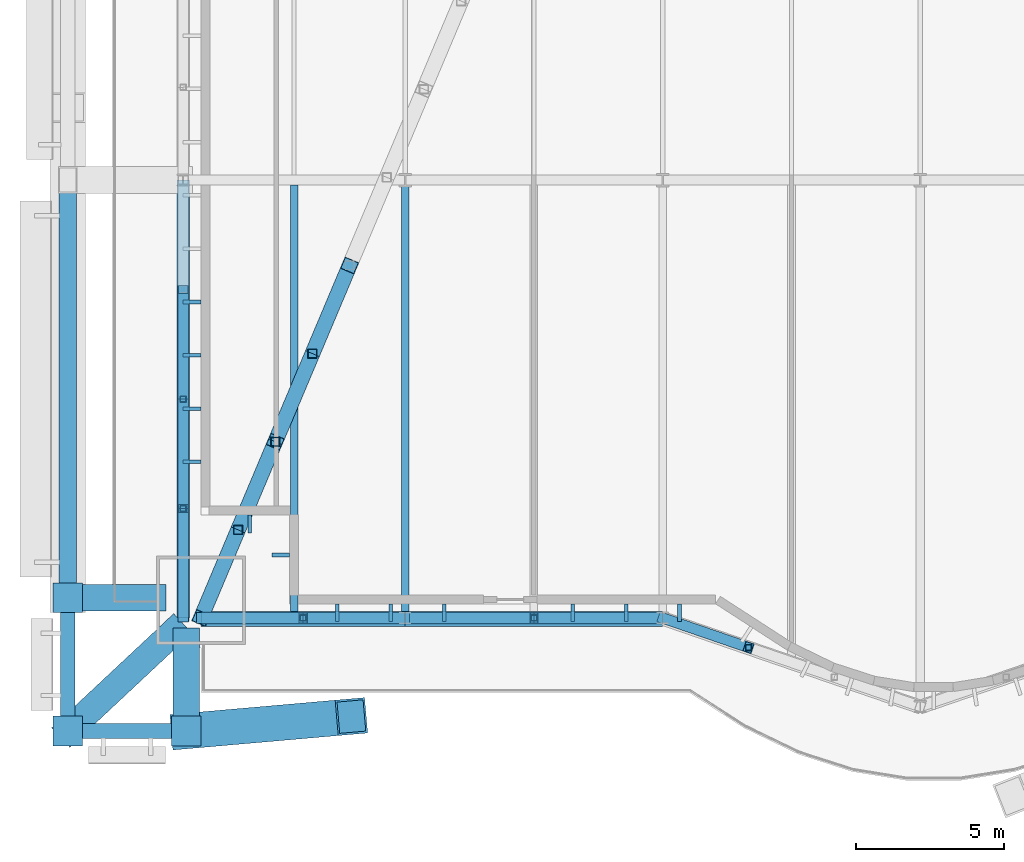
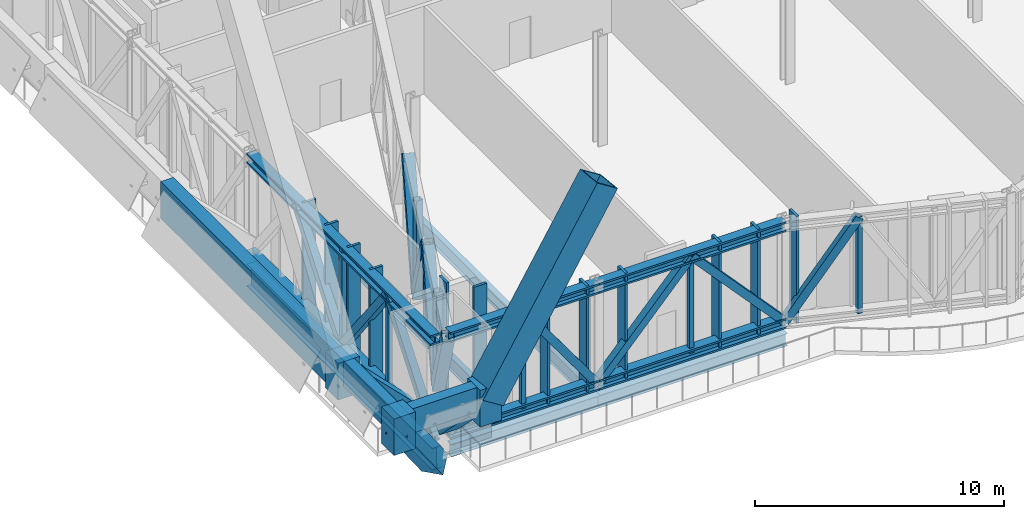
# One storey, part 4 of 32: 45 members, 8 beams, 1 element without a shape of its own.
"""IFC4 building model written with IfcOpenShell, lengths in metres."""

import ifcopenshell
import ifcopenshell.guid

model = None  # the IFC model being written
_history = None  # IfcOwnerHistory: only IFC2X3 demands one
_inside = {}  # id of a spatial element -> (the spatial element, [elements in it])
_under = {}  # id of a project, library or spatial element -> (it, [spatial elements below it])
_declared = {}  # id of a project -> (the project, [libraries it declares])
_typed = {}  # id of a type object -> (the type object, [elements of that type])
_made_of = {}  # id of a material, layer set ... -> (it, [elements and type objects made of it])


def new_model(schema):
    """Start an empty IFC model of exactly this schema.

    Asked for "IFC4X3", IfcOpenShell would pick the latest addendum, in which some entities
    have other attributes; the version numbers below select the first issue.
    IFC2X3 requires an IfcOwnerHistory on every rooted entity: one is made here for all.
    """
    global model, _history
    if schema == "IFC4X3":
        model = ifcopenshell.file(schema_version=(4, 3, 0, 0))
    else:
        model = ifcopenshell.file(schema=schema)
    _inside.clear()
    _under.clear()
    _declared.clear()
    _typed.clear()
    _made_of.clear()
    _history = None
    if model.schema == "IFC2X3":
        org = make("IfcOrganization", Name="unknown")
        user = make(
            "IfcPersonAndOrganization",
            ThePerson=make("IfcPerson", FamilyName="unknown"),
            TheOrganization=org,
        )
        app = make(
            "IfcApplication",
            ApplicationDeveloper=org,
            Version="unknown",
            ApplicationFullName="unknown",
            ApplicationIdentifier="unknown",
        )
        _history = make(
            "IfcOwnerHistory",
            OwningUser=user,
            OwningApplication=app,
            ChangeAction="ADDED",
            CreationDate=0,
        )
    return model


def make(cls, **values):
    """One entity of the class cls with the attributes given. An attribute that is None is left unset."""
    return model.create_entity(
        cls, **{name: value for name, value in values.items() if value is not None}
    )


def rooted(cls, **values):
    """An entity with a GlobalId (a new one), such as an element, a storey or a relation."""
    return make(cls, GlobalId=ifcopenshell.guid.new(), OwnerHistory=_history, **values)


def si_unit(unit_type, name, prefix=None):
    """IfcSIUnit, for example si_unit("LENGTHUNIT", "METRE", prefix="MILLI")."""
    return make("IfcSIUnit", UnitType=unit_type, Prefix=prefix, Name=name)


def assignment(units):
    """IfcUnitAssignment: the units of a project."""
    return None if units is None else make("IfcUnitAssignment", Units=units)


def point(xyz):
    """IfcCartesianPoint."""
    return None if xyz is None else make("IfcCartesianPoint", Coordinates=xyz)


def direction(xyz):
    """IfcDirection."""
    return None if xyz is None else make("IfcDirection", DirectionRatios=xyz)


def frame(location, z_axis=None, x_axis=None):
    """IfcAxis2Placement3D, a coordinate frame: its origin and axes. An axis left out is left unset."""
    return make(
        "IfcAxis2Placement3D",
        Location=point(location),
        Axis=direction(z_axis),
        RefDirection=direction(x_axis),
    )


def frame_2d(location, x_axis=None):
    """IfcAxis2Placement2D, a coordinate frame in the plane: its origin and x axis."""
    return make(
        "IfcAxis2Placement2D", Location=point(location), RefDirection=direction(x_axis)
    )


def origin():
    """The frame at (0, 0, 0) with its axes left unset."""
    return frame((0.0, 0.0, 0.0))


def origin_2d():
    """The frame at (0, 0) in the plane with its x axis left unset."""
    return frame_2d((0.0, 0.0))


def place(relative_to, where):
    """IfcLocalPlacement: puts the frame where relative to a parent placement (None: the world)."""
    return make(
        "IfcLocalPlacement", PlacementRelTo=relative_to, RelativePlacement=where
    )


def context(
    kind, dimensions, precision=None, world=None, true_north=None, identifier=None
):
    """IfcGeometricRepresentationContext, for example the 3D "Model" context."""
    return make(
        "IfcGeometricRepresentationContext",
        ContextIdentifier=identifier,
        ContextType=kind,
        CoordinateSpaceDimension=dimensions,
        Precision=precision,
        WorldCoordinateSystem=world,
        TrueNorth=true_north,
    )


def subcontext(parent, identifier, kind, view, scale=None):
    """IfcGeometricRepresentationSubContext, for example "Body" below "Model"."""
    return make(
        "IfcGeometricRepresentationSubContext",
        ContextIdentifier=identifier,
        ContextType=kind,
        ParentContext=parent,
        TargetScale=scale,
        TargetView=view,
    )


def project(units=None, contexts=None):
    """IfcProject with its units and contexts."""
    return rooted(
        "IfcProject",
        Name="project",
        RepresentationContexts=contexts,
        UnitsInContext=assignment(units),
    )


def spatial(cls, under=None, at=None, **own):
    """A site, building, storey or space (cls), placed at a placement, below another one or the project."""
    s = rooted(cls, ObjectPlacement=at, **own)
    if under is not None:
        _under.setdefault(under.id(), (under, []))[1].append(s)
    return s


def profile(cls, at=None, kind="AREA", **sizes):
    """A parametric profile (cls). Its sizes go by their IFC names, for example OverallWidth=200.0."""
    return make(cls, ProfileType=kind, Position=at, **sizes)


def rectangle(**sizes):
    """IfcRectangleProfileDef."""
    return profile("IfcRectangleProfileDef", **sizes)


def hollow_rectangle(**sizes):
    """IfcRectangleHollowProfileDef."""
    return profile("IfcRectangleHollowProfileDef", **sizes)


def i_section(**sizes):
    """IfcIShapeProfileDef."""
    return profile("IfcIShapeProfileDef", **sizes)


def extrude(swept, where, along, depth):
    """IfcExtrudedAreaSolid: the profile swept, set in the frame where, extruded along a direction by depth."""
    return make(
        "IfcExtrudedAreaSolid",
        SweptArea=swept,
        Position=where,
        ExtrudedDirection=direction(along),
        Depth=depth,
    )


def shape(context_of_items, identifier, shape_type, items):
    """IfcShapeRepresentation: the items that make up one representation, for example the "Body"."""
    return make(
        "IfcShapeRepresentation",
        ContextOfItems=context_of_items,
        RepresentationIdentifier=identifier,
        RepresentationType=shape_type,
        Items=items,
    )


def material(Name=None, Category=None):
    """IfcMaterial."""
    return make("IfcMaterial", Name=Name, Category=Category)


def material_profile(
    of_material, cross_section, Name=None, Category=None, Priority=None
):
    """IfcMaterialProfile: a cross section and its material."""
    return make(
        "IfcMaterialProfile",
        Name=Name,
        Material=of_material,
        Profile=cross_section,
        Priority=Priority,
        Category=Category,
    )


def profile_set(profiles, Name=None, composite=None):
    """IfcMaterialProfileSet."""
    return make(
        "IfcMaterialProfileSet",
        Name=Name,
        MaterialProfiles=profiles,
        CompositeProfile=composite,
    )


def made_of(thing, what):
    """Note that an element or type object is made of a material, layer set ...; save() writes the relation."""
    if what is not None:
        _made_of.setdefault(what.id(), (what, []))[1].append(thing)
    return thing


def type_object(cls, material=None, **own):
    """A type object (cls), such as IfcWallType, which elements share."""
    return made_of(rooted(cls, **own), material)


def element(
    cls,
    number,
    at=None,
    inside=None,
    cuts=None,
    type_object=None,
    material=None,
    context=None,
    identifier="Body",
    shape_type=None,
    held_by="IfcProductDefinitionShape",
    body=None,
    shapes=None,
    **own,
):
    """One element of the class cls, such as IfcWall. Its Tag is "e" and its number.

    at: its placement. inside: the storey or other place that contains it. cuts: it is an
    opening in that element (IfcRelVoidsElement). A single representation is given by context,
    identifier, shape_type and body (its items); several are given by shapes. held_by: the class
    of the entity that holds the representations. save() writes the other relations.
    """
    e = rooted(cls, Tag="e%d" % number, ObjectPlacement=at, **own)
    if body is not None:
        shapes = [shape(context, identifier, shape_type, body)]
    if shapes is not None:
        e.Representation = make(held_by, Representations=shapes)
    if inside is not None:
        _inside.setdefault(inside.id(), (inside, []))[1].append(e)
    if cuts is not None:
        rooted(
            "IfcRelVoidsElement", RelatingBuildingElement=cuts, RelatedOpeningElement=e
        )
    if type_object is not None:
        _typed.setdefault(type_object.id(), (type_object, []))[1].append(e)
    return made_of(e, material)


def aggregate(whole, parts):
    """IfcRelAggregates: a whole, such as a stair, and the parts it consists of."""
    return rooted("IfcRelAggregates", RelatingObject=whole, RelatedObjects=parts)


def save(model, path):
    """Write the relations noted so far, then the file.

    IfcRelAggregates (storeys below a building ...), IfcRelContainedInSpatialStructure (elements
    in a storey), IfcRelDefinesByType, IfcRelAssociatesMaterial and IfcRelDeclares: one each for
    every whole, place, type object, material and project.
    """
    for whole, parts in _under.values():
        aggregate(whole, parts)
    for where, things in _inside.values():
        rooted(
            "IfcRelContainedInSpatialStructure",
            RelatedElements=things,
            RelatingStructure=where,
        )
    for kind, things in _typed.values():
        rooted("IfcRelDefinesByType", RelatedObjects=things, RelatingType=kind)
    for what, things in _made_of.values():
        rooted("IfcRelAssociatesMaterial", RelatedObjects=things, RelatingMaterial=what)
    for by, libraries in _declared.values():
        rooted("IfcRelDeclares", RelatingContext=by, RelatedDefinitions=libraries)
    model.write(path)


model = new_model("IFC4")

# Units and contexts
model_context = context("Model", 3, precision=1e-05, world=origin(), true_north=direction((0.0, 1.0)))
body_context = subcontext(model_context, "Body", "Model", "MODEL_VIEW")
ifc_project = project(units=[si_unit("LENGTHUNIT", "METRE"), si_unit("AREAUNIT", "SQUARE_METRE"), si_unit("VOLUMEUNIT", "CUBIC_METRE"), si_unit("PLANEANGLEUNIT", "RADIAN"), si_unit("MASSUNIT", "GRAM", prefix="KILO")], contexts=[model_context])

# Site, building, storey
site_placement = place(None, origin())
site = spatial("IfcSite", under=ifc_project, at=site_placement, CompositionType="ELEMENT")
building_placement = place(site_placement, origin())
building = spatial("IfcBuilding", under=site, at=building_placement, Name="Bicima Exchange Tower", CompositionType="ELEMENT")
storey_placement = place(building_placement, frame((0.0, 0.0, 84.5)))
storey = spatial("IfcBuildingStorey", under=building, at=storey_placement, Name="L17", CompositionType="ELEMENT", Elevation=84.5)

# Curtain wall, members
ifc_material_1 = material(Name="Anodised bronze aluminium", Category="aluminium")
curtain_wall_type = type_object("IfcCurtainWallType", Name="Band blade screen", PredefinedType="NOTDEFINED", material=ifc_material_1)
curtain_wall_placement = place(storey_placement, origin())
curtain_wall = element("IfcCurtainWall", 1, at=curtain_wall_placement, inside=storey, type_object=curtain_wall_type, Name="Band blade screen L17", PredefinedType="NOTDEFINED")
ifc_material_profile_1 = material_profile(ifc_material_1, rectangle(XDim=0.60009765625, YDim=0.1201171875, at=origin_2d()))
ifc_profile_set_1 = profile_set([ifc_material_profile_1], Name="Anodised bronze aluminium")
member_type_1 = type_object("IfcMemberType", Name="Band blade fin 600 x 120", PredefinedType="USERDEFINED", material=ifc_profile_set_1)
member_1_placement = place(storey_placement, frame((-33.300048828125, -26.1201171875, 0.0), z_axis=(0.0, 0.0, 1.0), x_axis=(1.0, 0.0, 0.0)))
member_1 = element("IfcMember", 2, at=member_1_placement, type_object=member_type_1, Name="Band blade fin 23", ObjectType="FIN", PredefinedType="USERDEFINED", context=body_context, shape_type="SweptSolid", body=[
    extrude(rectangle(XDim=0.60009765625, YDim=0.1201171875, at=origin_2d()), origin(), (0.0, 0.0, 1.0), 5.25),
])
member_2_placement = place(storey_placement, frame((-33.300048828125, -27.920166015625, 0.0), z_axis=(0.0, 0.0, 1.0), x_axis=(1.0, 0.0, 0.0)))
member_2 = element("IfcMember", 3, at=member_2_placement, type_object=member_type_1, Name="Band blade fin 24", ObjectType="FIN", PredefinedType="USERDEFINED", context=body_context, shape_type="SweptSolid", body=[
    extrude(rectangle(XDim=0.60009765625, YDim=0.1201171875, at=origin_2d()), origin(), (0.0, 0.0, 1.0), 5.25),
])
member_3_placement = place(storey_placement, frame((-33.300048828125, -29.72021484375, 0.0), z_axis=(0.0, 0.0, 1.0), x_axis=(1.0, 0.0, 0.0)))
member_3 = element("IfcMember", 4, at=member_3_placement, type_object=member_type_1, Name="Band blade fin 25", ObjectType="FIN", PredefinedType="USERDEFINED", context=body_context, shape_type="SweptSolid", body=[
    extrude(rectangle(XDim=0.60009765625, YDim=0.1201171875, at=origin_2d()), origin(), (0.0, 0.0, 1.0), 5.25),
])
member_4_placement = place(storey_placement, frame((-33.300048828125, -31.52001953125, 0.0), z_axis=(0.0, 0.0, 1.0), x_axis=(1.0, 0.0, 0.0)))
member_4 = element("IfcMember", 5, at=member_4_placement, type_object=member_type_1, Name="Band blade fin 26", ObjectType="FIN", PredefinedType="USERDEFINED", context=body_context, shape_type="SweptSolid", body=[
    extrude(rectangle(XDim=0.60009765625, YDim=0.1201171875, at=origin_2d()), origin(), (0.0, 0.0, 1.0), 5.25),
])
member_5_placement = place(storey_placement, frame((-31.35009765625, -33.615966796875, 0.0), z_axis=(0.0, 0.0, 1.0), x_axis=(0.0, 1.0, 0.0)))
member_5 = element("IfcMember", 6, at=member_5_placement, type_object=member_type_1, Name="Band blade fin 27", ObjectType="FIN", PredefinedType="USERDEFINED", context=body_context, shape_type="SweptSolid", body=[
    extrude(rectangle(XDim=0.60009765625, YDim=0.1201171875, at=origin_2d()), origin(), (0.0, 0.0, 1.0), 5.25),
])
member_6_placement = place(storey_placement, frame((-30.300048828125, -34.666015625, 0.0), z_axis=(0.0, 0.0, 1.0), x_axis=(1.0, 0.0, 0.0)))
member_6 = element("IfcMember", 7, at=member_6_placement, type_object=member_type_1, Name="Band blade fin 28", ObjectType="FIN", PredefinedType="USERDEFINED", context=body_context, shape_type="SweptSolid", body=[
    extrude(rectangle(XDim=0.60009765625, YDim=0.1201171875, at=origin_2d()), origin(), (0.0, 0.0, 1.0), 5.25),
])
member_7_placement = place(storey_placement, frame((-28.38720703125, -36.615966796875, 0.0), z_axis=(0.0, 0.0, 1.0), x_axis=(0.0, 1.0, 0.0)))
member_7 = element("IfcMember", 8, at=member_7_placement, type_object=member_type_1, Name="Band blade fin 29", ObjectType="FIN", PredefinedType="USERDEFINED", context=body_context, shape_type="SweptSolid", body=[
    extrude(rectangle(XDim=0.60009765625, YDim=0.1201171875, at=origin_2d()), origin(), (0.0, 0.0, 1.0), 5.25),
])
member_8_placement = place(storey_placement, frame((-26.587158203125, -36.615966796875, 0.0), z_axis=(0.0, 0.0, 1.0), x_axis=(0.0, 1.0, 0.0)))
member_8 = element("IfcMember", 9, at=member_8_placement, type_object=member_type_1, Name="Band blade fin 30", ObjectType="FIN", PredefinedType="USERDEFINED", context=body_context, shape_type="SweptSolid", body=[
    extrude(rectangle(XDim=0.60009765625, YDim=0.1201171875, at=origin_2d()), origin(), (0.0, 0.0, 1.0), 5.25),
])
member_9_placement = place(storey_placement, frame((-24.787109375, -36.615966796875, 0.0), z_axis=(0.0, 0.0, 1.0), x_axis=(0.0, 1.0, 0.0)))
member_9 = element("IfcMember", 10, at=member_9_placement, type_object=member_type_1, Name="Band blade fin 31", ObjectType="FIN", PredefinedType="USERDEFINED", context=body_context, shape_type="SweptSolid", body=[
    extrude(rectangle(XDim=0.60009765625, YDim=0.1201171875, at=origin_2d()), origin(), (0.0, 0.0, 1.0), 5.25),
])
member_10_placement = place(storey_placement, frame((-20.432373046875, -36.615966796875, 0.0), z_axis=(0.0, 0.0, 1.0), x_axis=(0.0, 1.0, 0.0)))
member_10 = element("IfcMember", 11, at=member_10_placement, type_object=member_type_1, Name="Band blade fin 32", ObjectType="FIN", PredefinedType="USERDEFINED", context=body_context, shape_type="SweptSolid", body=[
    extrude(rectangle(XDim=0.60009765625, YDim=0.1201171875, at=origin_2d()), origin(), (0.0, 0.0, 1.0), 5.25),
])
member_11_placement = place(storey_placement, frame((-18.63232421875, -36.615966796875, 0.0), z_axis=(0.0, 0.0, 1.0), x_axis=(0.0, 1.0, 0.0)))
member_11 = element("IfcMember", 12, at=member_11_placement, type_object=member_type_1, Name="Band blade fin 33", ObjectType="FIN", PredefinedType="USERDEFINED", context=body_context, shape_type="SweptSolid", body=[
    extrude(rectangle(XDim=0.60009765625, YDim=0.1201171875, at=origin_2d()), origin(), (0.0, 0.0, 1.0), 5.25),
])
member_12_placement = place(storey_placement, frame((-16.83251953125, -36.615966796875, 0.0), z_axis=(0.0, 0.0, 1.0), x_axis=(0.0, 1.0, 0.0)))
member_12 = element("IfcMember", 13, at=member_12_placement, type_object=member_type_1, Name="Band blade fin 34", ObjectType="FIN", PredefinedType="USERDEFINED", context=body_context, shape_type="SweptSolid", body=[
    extrude(rectangle(XDim=0.60009765625, YDim=0.1201171875, at=origin_2d()), origin(), (0.0, 0.0, 1.0), 5.25),
])
aggregate(curtain_wall, [member_1, member_2, member_3, member_4, member_5, member_6, member_7, member_8, member_9, member_10, member_11, member_12])

# Beams
ifc_material_2 = material(Name="Steel ASTM A572 Gr 50", Category="steel")
ifc_material_profile_2 = material_profile(ifc_material_2, hollow_rectangle(XDim=0.5, YDim=1.199951171875, WallThickness=0.0400390625, at=origin_2d()))
ifc_profile_set_2 = profile_set([ifc_material_profile_2], Name="Steel ASTM A572 Gr 50")
beam_type_1 = type_object("IfcBeamType", Name="Belt girder BOX 500x1200x40", PredefinedType="BEAM", material=ifc_profile_set_2)
beam_1_placement = place(storey_placement, frame((-37.5, -40.61279296875, 4.64990234375), z_axis=(1.0, 0.0, 0.0), x_axis=(0.0, 1.0, 0.0)))
element("IfcBeam", 14, at=beam_1_placement, inside=storey, type_object=beam_type_1, Name="Belt girder", PredefinedType="BEAM", context=body_context, shape_type="SweptSolid", body=[
    extrude(hollow_rectangle(XDim=0.5, YDim=1.199951171875, WallThickness=0.0400390625, at=origin_2d()), origin(), (0.0, 0.0, 1.0), 4.0),
])
beam_2_placement = place(storey_placement, frame((-37.5, -36.11279296875, 4.64990234375), z_axis=(0.0, -1.0, 0.0), x_axis=(1.0, 0.0, 0.0)))
element("IfcBeam", 15, at=beam_2_placement, inside=storey, type_object=beam_type_1, Name="Belt girder", PredefinedType="BEAM", context=body_context, shape_type="SweptSolid", body=[
    extrude(hollow_rectangle(XDim=0.5, YDim=1.199951171875, WallThickness=0.0400390625, at=origin_2d()), origin(), (0.0, 0.0, 1.0), 4.5),
])
ifc_material_profile_3 = material_profile(ifc_material_2, hollow_rectangle(XDim=0.60009765625, YDim=1.800048828125, WallThickness=0.06005859375, at=origin_2d()))
ifc_profile_set_3 = profile_set([ifc_material_profile_3], Name="Steel ASTM A572 Gr 50")
beam_type_2 = type_object("IfcBeamType", Name="Belt girder BOX 600x1800x60", PredefinedType="BEAM", material=ifc_profile_set_3)
beam_3_placement = place(storey_placement, frame((-37.5, -22.0, 4.35009765625), z_axis=(0.0, -1.0, 0.0), x_axis=(1.0, 0.0, 0.0)))
element("IfcBeam", 16, at=beam_3_placement, inside=storey, type_object=beam_type_2, Name="Belt girder", PredefinedType="BEAM", context=body_context, shape_type="SweptSolid", body=[
    extrude(hollow_rectangle(XDim=0.60009765625, YDim=1.800048828125, WallThickness=0.06005859375, at=origin_2d()), origin(), (0.0, 0.0, 1.0), 14.11279296875),
])

# Members
ifc_material_3 = material(Name="Steel ASTM A992 Gr 50", Category="steel")
ifc_material_profile_4 = material_profile(ifc_material_3, i_section(OverallWidth=0.431884765625, OverallDepth=0.497802734375, WebThickness=0.0556640625, FlangeThickness=0.0888671875, at=origin_2d()))
ifc_profile_set_4 = profile_set([ifc_material_profile_4], Name="Steel ASTM A992 Gr 50")
member_type_2 = type_object("IfcMemberType", Name="Belt truss chord W14x500", PredefinedType="CHORD", material=ifc_profile_set_4)
for number, where, z_axis, x_axis, name in (
    (17, (-33.0, -36.7939453125, 5.001220703125), (1.0, 0.0, 0.0), (0.0, 1.0, 0.0), "Top chord"),
    (18, (-33.0, -36.7939453125, 0.248779296875), (1.0, 0.0, 0.0), (0.0, 1.0, 0.0), "Bottom chord"),
):
    element("IfcMember", number, at=place(storey_placement, frame(where, z_axis=z_axis, x_axis=x_axis)), inside=storey, type_object=member_type_2, Name=name, PredefinedType="CHORD", context=body_context, shape_type="SweptSolid", body=[
        extrude(i_section(OverallWidth=0.431884765625, OverallDepth=0.497802734375, WebThickness=0.0556640625, FlangeThickness=0.0888671875, at=origin_2d()), origin(), (0.0, 0.0, 1.0), 6.89990234375),
    ])
for number, where, z_axis, x_axis, name in (
    (19, (-26.10009765625, -36.7939453125, 5.001220703125), (1.0, 0.0, 0.0), (0.0, 1.0, 0.0), "Top chord"),
    (20, (-26.10009765625, -36.7939453125, 0.248779296875), (1.0, 0.0, 0.0), (0.0, 1.0, 0.0), "Bottom chord"),
):
    element("IfcMember", number, at=place(storey_placement, frame(where, z_axis=z_axis, x_axis=x_axis)), inside=storey, type_object=member_type_2, Name=name, PredefinedType="CHORD", context=body_context, shape_type="SweptSolid", body=[
        extrude(i_section(OverallWidth=0.431884765625, OverallDepth=0.497802734375, WebThickness=0.0556640625, FlangeThickness=0.0888671875, at=origin_2d()), origin(), (0.0, 0.0, 1.0), 8.7001953125),
    ])
for number, where, z_axis, x_axis, name in (
    (21, (-33.60009765625, -22.0, 5.001220703125), (0.0, -1.0, 0.0), (1.0, 0.0, 0.0), "Top chord"),
    (22, (-33.60009765625, -22.0, 0.248779296875), (0.0, -1.0, 0.0), (1.0, 0.0, 0.0), "Bottom chord"),
):
    element("IfcMember", number, at=place(storey_placement, frame(where, z_axis=z_axis, x_axis=x_axis)), inside=storey, type_object=member_type_2, Name=name, PredefinedType="CHORD", context=body_context, shape_type="SweptSolid", body=[
        extrude(i_section(OverallWidth=0.431884765625, OverallDepth=0.497802734375, WebThickness=0.0556640625, FlangeThickness=0.0888671875, at=origin_2d()), origin(), (0.0, 0.0, 1.0), 14.7939453125),
    ])
ifc_material_profile_5 = material_profile(ifc_material_2, hollow_rectangle(XDim=0.355712890625, YDim=0.355712890625, WallThickness=0.0146484375, at=origin_2d()))
ifc_profile_set_5 = profile_set([ifc_material_profile_5], Name="Steel ASTM A572 Gr 50")
member_type_3 = type_object("IfcMemberType", Name="Belt truss diagonal HSS14x14x5/8", PredefinedType="STRUT", material=ifc_profile_set_5)
for number, where, z_axis, x_axis, name in (
    (23, (-33.0, -36.7939453125, 0.248779296875), (0.587462041023, 0.0, 0.809251722493), (0.0, 1.0, 0.0), "Truss diagonal"),
    (24, (-29.550048828125, -36.7939453125, 5.001220703125), (0.587462041023, 0.0, -0.809251722493), (0.0, 1.0, 0.0), "Truss diagonal"),
):
    element("IfcMember", number, at=place(storey_placement, frame(where, z_axis=z_axis, x_axis=x_axis)), inside=storey, type_object=member_type_3, Name=name, PredefinedType="STRUT", context=body_context, shape_type="SweptSolid", body=[
        extrude(hollow_rectangle(XDim=0.355712890625, YDim=0.355712890625, WallThickness=0.0146484375, at=origin_2d()), origin(), (0.0, 0.0, 1.0), 5.87255859375),
    ])
for number, where, z_axis, x_axis, name in (
    (25, (-26.10009765625, -36.7939453125, 0.248779296875), (0.675192508812, 0.0, 0.737641563393), (0.0, 1.0, 0.0), "Truss diagonal"),
    (26, (-21.75, -36.7939453125, 5.001220703125), (0.675192508812, 0.0, -0.737641563393), (0.0, 1.0, 0.0), "Truss diagonal"),
):
    element("IfcMember", number, at=place(storey_placement, frame(where, z_axis=z_axis, x_axis=x_axis)), inside=storey, type_object=member_type_3, Name=name, PredefinedType="STRUT", context=body_context, shape_type="SweptSolid", body=[
        extrude(hollow_rectangle(XDim=0.355712890625, YDim=0.355712890625, WallThickness=0.0146484375, at=origin_2d()), origin(), (0.0, 0.0, 1.0), 6.44287109375),
    ])
member_13_placement = place(storey_placement, frame((-17.39990234375, -36.7939453125, 0.248779296875), z_axis=(0.5127210239, -0.176288319718, 0.840261614012), x_axis=(0.325146518908, 0.945663651222, 0.0)))
element("IfcMember", 27, at=member_13_placement, inside=storey, type_object=member_type_3, Name="Truss diagonal", PredefinedType="STRUT", context=body_context, shape_type="SweptSolid", body=[
    extrude(hollow_rectangle(XDim=0.355712890625, YDim=0.355712890625, WallThickness=0.0146484375, at=origin_2d()), origin(), (0.0, 0.0, 1.0), 5.656005859375),
])
for number, where, z_axis, x_axis, name in (
    (28, (-33.60009765625, -25.698486328125, 5.001220703125), (0.0, -0.614162319801, -0.789179729173), (1.0, 0.0, 0.0), "Truss diagonal"),
    (29, (-33.60009765625, -29.39697265625, 0.248779296875), (0.0, -0.614162319801, 0.789179729173), (1.0, 0.0, 0.0), "Truss diagonal"),
    (30, (-33.60009765625, -33.095458984375, 5.001220703125), (0.0, -0.614162319801, -0.789179729173), (1.0, 0.0, 0.0), "Truss diagonal"),
):
    element("IfcMember", number, at=place(storey_placement, frame(where, z_axis=z_axis, x_axis=x_axis)), inside=storey, type_object=member_type_3, Name=name, PredefinedType="STRUT", context=body_context, shape_type="SweptSolid", body=[
        extrude(hollow_rectangle(XDim=0.355712890625, YDim=0.355712890625, WallThickness=0.0146484375, at=origin_2d()), origin(), (0.0, 0.0, 1.0), 6.02197265625),
    ])
ifc_material_profile_6 = material_profile(ifc_material_2, hollow_rectangle(XDim=0.203125, YDim=0.203125, WallThickness=0.01171875, at=origin_2d()))
ifc_profile_set_6 = profile_set([ifc_material_profile_6], Name="Steel ASTM A572 Gr 50")
member_type_4 = type_object("IfcMemberType", Name="Belt truss post HSS8x8x1/2", PredefinedType="POST", material=ifc_profile_set_6)
for number, where, z_axis, x_axis, name in (
    (31, (-29.550048828125, -36.7939453125, 0.248779296875), (0.0, 0.0, 1.0), (1.0, 0.0, 0.0), "Truss post"),
    (32, (-21.75, -36.7939453125, 0.248779296875), (0.0, 0.0, 1.0), (1.0, 0.0, 0.0), "Truss post"),
    (33, (-14.5, -37.791015625, 0.248779296875), (0.0, 0.0, 1.0), (1.0, 0.0, 0.0), "Truss post"),
    (34, (-33.60009765625, -29.39697265625, 0.248779296875), (0.0, 0.0, 1.0), (1.0, 0.0, 0.0), "Truss post"),
    (35, (-33.60009765625, -33.095458984375, 0.248779296875), (0.0, 0.0, 1.0), (1.0, 0.0, 0.0), "Truss post"),
):
    element("IfcMember", number, at=place(storey_placement, frame(where, z_axis=z_axis, x_axis=x_axis)), inside=storey, type_object=member_type_4, Name=name, PredefinedType="POST", context=body_context, shape_type="SweptSolid", body=[
        extrude(hollow_rectangle(XDim=0.203125, YDim=0.203125, WallThickness=0.01171875, at=origin_2d()), origin(), (0.0, 0.0, 1.0), 4.75244140625),
    ])

# Beam
ifc_material_profile_7 = material_profile(ifc_material_3, i_section(OverallWidth=0.4013671875, OverallDepth=1.089599609375, WebThickness=0.01806640625, FlangeThickness=0.031005859375, at=origin_2d()))
ifc_profile_set_7 = profile_set([ifc_material_profile_7], Name="Steel ASTM A992 Gr 50")
beam_type_3 = type_object("IfcBeamType", Name="End girder W44x230", PredefinedType="BEAM", material=ifc_profile_set_7)
beam_4_placement = place(storey_placement, frame((-33.60009765625, -22.0, -0.744873046875), z_axis=(0.0, -1.0, 0.0), x_axis=(1.0, 0.0, 0.0)))
element("IfcBeam", 36, at=beam_4_placement, inside=storey, type_object=beam_type_3, Name="End girder", PredefinedType="BEAM", context=body_context, shape_type="SweptSolid", body=[
    extrude(i_section(OverallWidth=0.4013671875, OverallDepth=1.089599609375, WebThickness=0.01806640625, FlangeThickness=0.031005859375, at=origin_2d()), origin(), (0.0, 0.0, 1.0), 14.916015625),
])

# Members
ifc_material_profile_8 = material_profile(ifc_material_2, hollow_rectangle(XDim=1.199951171875, YDim=1.199951171875, WallThickness=0.070068359375, at=origin_2d()))
ifc_profile_set_8 = profile_set([ifc_material_profile_8], Name="Steel ASTM A572 Gr 50")
member_type_5 = type_object("IfcMemberType", Name="Exo mega brace BOX 1200x1200x70", PredefinedType="BRACE", material=ifc_profile_set_8)
member_14_placement = place(storey_placement, frame((-33.5, -40.61279296875, 4.5), z_axis=(0.55214125077, 0.048263166745, 0.832352513022), x_axis=(-0.08707886834, 0.996201420742, 0.0)))
element("IfcMember", 37, at=member_14_placement, inside=storey, type_object=member_type_5, Name="Exo mega brace front", PredefinedType="BRACE", context=body_context, shape_type="SweptSolid", body=[
    extrude(hollow_rectangle(XDim=1.199951171875, YDim=1.199951171875, WallThickness=0.070068359375, at=origin_2d()), origin(), (0.0, 0.0, 1.0), 10.112060546875),
])
ifc_material_4 = material(Name="Cast steel ASTM A216 Gr WCB", Category="steel")
ifc_material_profile_9 = material_profile(ifc_material_4, rectangle(XDim=1.0, YDim=1.0, at=origin_2d()))
ifc_profile_set_9 = profile_set([ifc_material_profile_9], Name="Cast steel ASTM A216 Gr WCB")
member_type_6 = type_object("IfcMemberType", Name="Exo node block", PredefinedType="POST", material=ifc_profile_set_9)
for number, where, z_axis, x_axis, name in (
    (38, (-37.5, -40.61279296875, 3.449951171875), (0.0, 0.0, 1.0), (1.0, 0.0, 0.0), "Exo node block"),
    (39, (-33.5, -40.61279296875, 3.449951171875), (0.0, 0.0, 1.0), (1.0, 0.0, 0.0), "Exo node block"),
    (40, (-37.5, -36.11279296875, 3.449951171875), (0.0, 0.0, 1.0), (1.0, 0.0, 0.0), "Exo node block"),
):
    element("IfcMember", number, at=place(storey_placement, frame(where, z_axis=z_axis, x_axis=x_axis)), inside=storey, type_object=member_type_6, Name=name, PredefinedType="POST", context=body_context, shape_type="SweptSolid", body=[
        extrude(rectangle(XDim=1.0, YDim=1.0, at=origin_2d()), origin(), (0.0, 0.0, 1.0), 1.800048828125),
    ])
ifc_material_profile_10 = material_profile(ifc_material_2, hollow_rectangle(XDim=0.89990234375, YDim=0.89990234375, WallThickness=0.050048828125, at=origin_2d()))
ifc_profile_set_10 = profile_set([ifc_material_profile_10], Name="Steel ASTM A572 Gr 50")
member_type_7 = type_object("IfcMemberType", Name="Exo outrigger stub BOX 900x900x50", PredefinedType="STRUT", material=ifc_profile_set_10)
member_15_placement = place(storey_placement, frame((-33.848388671875, -37.1962890625, -0.70068359375), z_axis=(-0.506125264948, -0.473538607854, 0.720831743927), x_axis=(0.683208359889, -0.730223484269, 0.0)))
element("IfcMember", 41, at=member_15_placement, inside=storey, type_object=member_type_7, Name="Exo outrigger stub", PredefinedType="STRUT", context=body_context, shape_type="SweptSolid", body=[
    extrude(hollow_rectangle(XDim=0.89990234375, YDim=0.89990234375, WallThickness=0.050048828125, at=origin_2d()), origin(), (0.0, 0.0, 1.0), 7.21484375),
])
member_16_placement = place(storey_placement, frame((-33.5, -37.455322265625, 1.3427734375), z_axis=(0.0, -0.707134119022, 0.707079442294), x_axis=(1.0, 0.0, 0.0)))
element("IfcMember", 42, at=member_16_placement, inside=storey, type_object=member_type_7, Name="Exo outrigger stub", PredefinedType="STRUT", context=body_context, shape_type="SweptSolid", body=[
    extrude(hollow_rectangle(XDim=0.89990234375, YDim=0.89990234375, WallThickness=0.050048828125, at=origin_2d()), origin(), (0.0, 0.0, 1.0), 4.465087890625),
])
member_17_placement = place(storey_placement, frame((-34.5, -36.11279296875, 1.5), z_axis=(-0.707106781187, 0.0, 0.707106781187), x_axis=(0.0, -1.0, 0.0)))
element("IfcMember", 43, at=member_17_placement, inside=storey, type_object=member_type_7, Name="Exo outrigger stub", PredefinedType="STRUT", context=body_context, shape_type="SweptSolid", body=[
    extrude(hollow_rectangle(XDim=0.89990234375, YDim=0.89990234375, WallThickness=0.050048828125, at=origin_2d()), origin(), (0.0, 0.0, 1.0), 4.24267578125),
])

# Beams
ifc_material_profile_11 = material_profile(ifc_material_3, i_section(OverallWidth=0.25390625, OverallDepth=0.67822265625, WebThickness=0.01171875, FlangeThickness=0.016357421875, at=origin_2d()))
ifc_profile_set_11 = profile_set([ifc_material_profile_11], Name="Steel ASTM A992 Gr 50")
beam_type_4 = type_object("IfcBeamType", Name="Floor beam W27x84", PredefinedType="JOIST", material=ifc_profile_set_11)
for number, where, z_axis, x_axis, name in (
    (44, (-29.85009765625, -22.16259765625, -0.5390625), (0.0, -1.0, 0.0), (1.0, 0.0, 0.0), "Floor beam"),
    (45, (-26.10009765625, -22.16259765625, -0.5390625), (0.0, -1.0, 0.0), (1.0, 0.0, 0.0), "Floor beam"),
):
    element("IfcBeam", number, at=place(storey_placement, frame(where, z_axis=z_axis, x_axis=x_axis)), inside=storey, type_object=beam_type_4, Name=name, PredefinedType="JOIST", context=body_context, shape_type="SweptSolid", body=[
        extrude(i_section(OverallWidth=0.25390625, OverallDepth=0.67822265625, WebThickness=0.01171875, FlangeThickness=0.016357421875, at=origin_2d()), origin(), (0.0, 0.0, 1.0), 14.5908203125),
    ])
ifc_material_profile_12 = material_profile(ifc_material_3, i_section(OverallWidth=0.3251953125, OverallDepth=0.612060546875, WebThickness=0.0126953125, FlangeThickness=0.01904296875, at=origin_2d()))
ifc_profile_set_12 = profile_set([ifc_material_profile_12], Name="Steel ASTM A992 Gr 50")
beam_type_5 = type_object("IfcBeamType", Name="Front girder W24x104", PredefinedType="BEAM", material=ifc_profile_set_12)
beam_5_placement = place(storey_placement, frame((-33.0, -36.916015625, -0.506103515625), z_axis=(1.0, 0.0, 0.0), x_axis=(0.0, 1.0, 0.0)))
element("IfcBeam", 46, at=beam_5_placement, inside=storey, type_object=beam_type_5, Name="Front girder", PredefinedType="BEAM", context=body_context, shape_type="SweptSolid", body=[
    extrude(i_section(OverallWidth=0.3251953125, OverallDepth=0.612060546875, WebThickness=0.0126953125, FlangeThickness=0.01904296875, at=origin_2d()), origin(), (0.0, 0.0, 1.0), 6.89990234375),
])
beam_6_placement = place(storey_placement, frame((-26.10009765625, -36.916015625, -0.506103515625), z_axis=(1.0, 0.0, 0.0), x_axis=(0.0, 1.0, 0.0)))
element("IfcBeam", 47, at=beam_6_placement, inside=storey, type_object=beam_type_5, Name="Front girder", PredefinedType="BEAM", context=body_context, shape_type="SweptSolid", body=[
    extrude(i_section(OverallWidth=0.3251953125, OverallDepth=0.612060546875, WebThickness=0.0126953125, FlangeThickness=0.01904296875, at=origin_2d()), origin(), (0.0, 0.0, 1.0), 8.7001953125),
])

# Members
ifc_material_profile_13 = material_profile(ifc_material_2, hollow_rectangle(XDim=0.508056640625, YDim=0.508056640625, WallThickness=0.017822265625, at=origin_2d()))
ifc_profile_set_13 = profile_set([ifc_material_profile_13], Name="Steel ASTM A572 Gr 50")
member_type_8 = type_object("IfcMemberType", Name="Outrigger truss diagonal HSS20x20x3/4", PredefinedType="STRUT", material=ifc_profile_set_13)
for number, where, z_axis, x_axis, name in (
    (48, (-27.977783203125, -24.885498046875, 4.965576171875), (-0.220745726332, -0.523428763878, -0.82297852551), (0.921411930783, -0.388587253794, 0.0), "Truss diagonal"),
    (49, (-29.2333984375, -27.86279296875, 0.284423828125), (-0.220750685657, -0.523397600797, 0.822997014735), (0.921400520551, -0.388614308446, 0.0), "Truss diagonal"),
    (50, (-30.489013671875, -30.83984375, 4.965576171875), (-0.220709854177, -0.523402559673, -0.823004812135), (0.92142757548, -0.38855015525, 0.0), "Truss diagonal"),
    (51, (-31.744384765625, -33.81689453125, 0.284423828125), (-0.220750685657, -0.523397600797, 0.822997014735), (0.921400520551, -0.388614308446, 0.0), "Truss diagonal"),
):
    element("IfcMember", number, at=place(storey_placement, frame(where, z_axis=z_axis, x_axis=x_axis)), inside=storey, type_object=member_type_8, Name=name, PredefinedType="STRUT", context=body_context, shape_type="SweptSolid", body=[
        extrude(hollow_rectangle(XDim=0.508056640625, YDim=0.508056640625, WallThickness=0.017822265625, at=origin_2d()), origin(), (0.0, 0.0, 1.0), 5.68798828125),
    ])
ifc_material_profile_14 = material_profile(ifc_material_2, hollow_rectangle(XDim=0.3046875, YDim=0.3046875, WallThickness=0.01171875, at=origin_2d()))
ifc_profile_set_14 = profile_set([ifc_material_profile_14], Name="Steel ASTM A572 Gr 50")
member_type_9 = type_object("IfcMemberType", Name="Outrigger truss post HSS12x12x1/2", PredefinedType="POST", material=ifc_profile_set_14)
for number, where, z_axis, x_axis, name in (
    (52, (-29.2333984375, -27.86279296875, 0.284423828125), (0.0, 0.0, 1.0), (1.0, 0.0, 0.0), "Truss post"),
    (53, (-30.489013671875, -30.83984375, 0.284423828125), (0.0, 0.0, 1.0), (1.0, 0.0, 0.0), "Truss post"),
    (54, (-31.744384765625, -33.81689453125, 0.284423828125), (0.0, 0.0, 1.0), (1.0, 0.0, 0.0), "Truss post"),
):
    element("IfcMember", number, at=place(storey_placement, frame(where, z_axis=z_axis, x_axis=x_axis)), inside=storey, type_object=member_type_9, Name=name, PredefinedType="POST", context=body_context, shape_type="SweptSolid", body=[
        extrude(hollow_rectangle(XDim=0.3046875, YDim=0.3046875, WallThickness=0.01171875, at=origin_2d()), origin(), (0.0, 0.0, 1.0), 4.68115234375),
    ])

save(model, "model.ifc")
